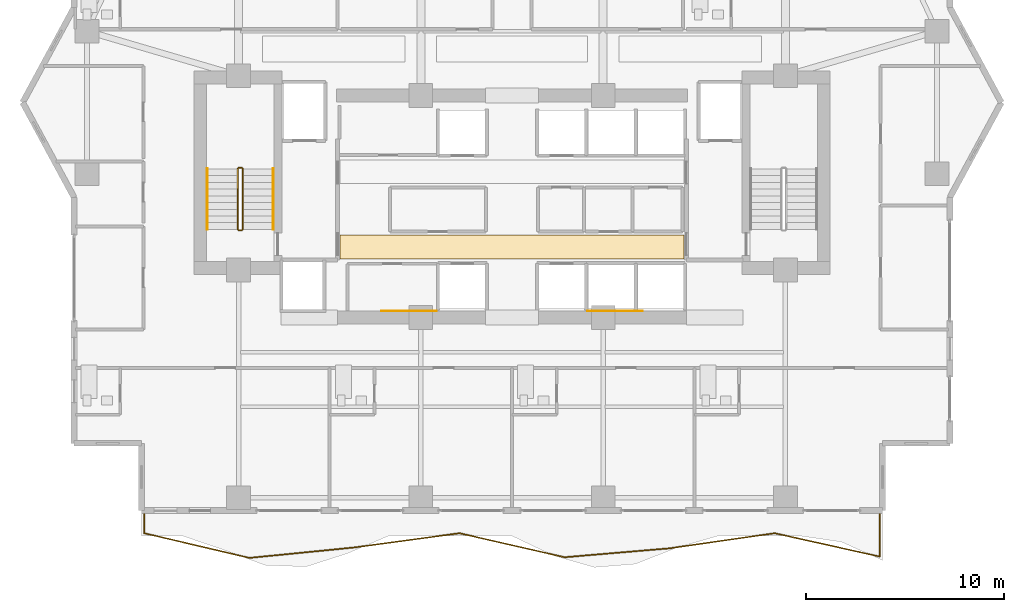
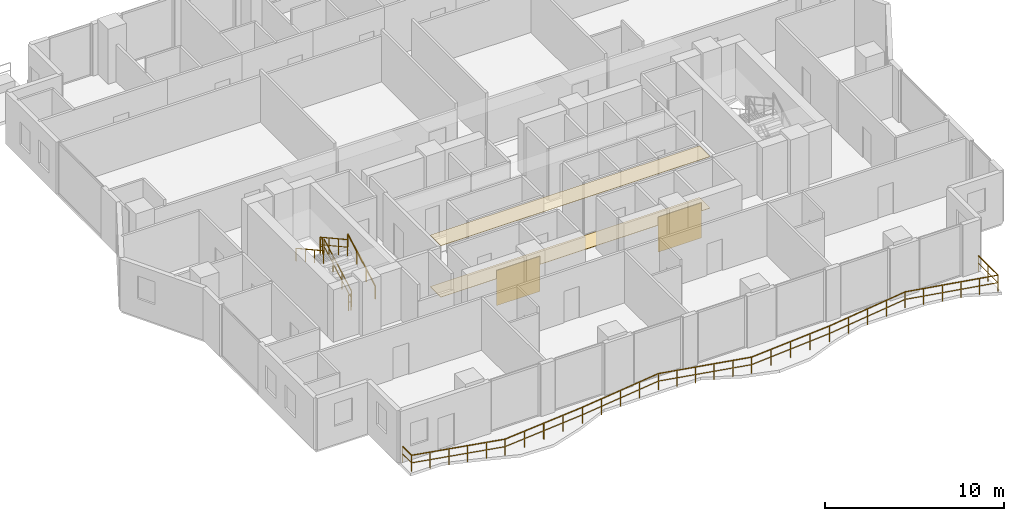
# One storey, part 30 of 33: 7 railings, 4 coverings.
"""IFC4 building model written with IfcOpenShell, lengths in metres."""

from ifc_helpers import new_model, si_unit, direction, frame, origin, origin_2d, place, context, subcontext, project, spatial, polyline, rectangle, outline, extrude, material, layer, layer_set, type_object, element, save


model = new_model("IFC4")

# Units and contexts
model_context = context("Model", 3, precision=1e-05, world=origin(), true_north=direction((0.0, 1.0)))
body_context = subcontext(model_context, "Body", "Model", "MODEL_VIEW")
ifc_project = project(units=[si_unit("LENGTHUNIT", "METRE"), si_unit("AREAUNIT", "SQUARE_METRE"), si_unit("VOLUMEUNIT", "CUBIC_METRE"), si_unit("PLANEANGLEUNIT", "RADIAN"), si_unit("MASSUNIT", "GRAM", prefix="KILO")], contexts=[model_context])

# Site, building, storey
site_placement = place(None, origin())
site = spatial("IfcSite", under=ifc_project, at=site_placement, CompositionType="ELEMENT")
building_placement = place(site_placement, origin())
building = spatial("IfcBuilding", under=site, at=building_placement, Name="Zuhayl Quay Hotel", CompositionType="ELEMENT")
storey_placement = place(building_placement, frame((0.0, 0.0, 222.39990234375)))
storey = spatial("IfcBuildingStorey", under=building, at=storey_placement, Name="L56", CompositionType="ELEMENT", Elevation=222.39990234375)

# Coverings
ifc_material_1 = material(Name="Acoustic Mineral-Fibre Gypsum Board")
ifc_layer_1 = layer(ifc_material_1, 0.02490234375, Name="Acoustic Mineral-Fibre Gypsum Board")
ifc_layer_set_1 = layer_set([ifc_layer_1], Name="Acoustic Mineral-Fibre Gypsum Board")
covering_type_1 = type_object("IfcCoveringType", Name="CV_CEIL_ACOUSTIC", PredefinedType="CEILING", material=ifc_layer_set_1)
covering_1_placement = place(storey_placement, frame((0.0, 0.0, 3.505126953125)))
element("IfcCovering", 1, at=covering_1_placement, inside=storey, type_object=covering_type_1, Name="L56 Suspended Acoustic Lobby Ceiling S", PredefinedType="CEILING", context=body_context, shape_type="SweptSolid", body=[
    extrude(outline(polyline([(-8.679931640625, 5.10009765625), (8.679931640625, 5.10009765625), (8.679931640625, 6.300048828125), (-8.679931640625, 6.300048828125), (-8.679931640625, 5.10009765625)])), origin(), (0.0, 0.0, 1.0), 0.02490234375),
])
ifc_material_2 = material(Name="Polished Limestone Terrazzo", Category="masonry")
ifc_layer_2 = layer(ifc_material_2, 0.02001953125, Name="Polished Limestone Terrazzo", Category="masonry")
ifc_layer_set_2 = layer_set([ifc_layer_2], Name="Polished Limestone Terrazzo")
covering_type_2 = type_object("IfcCoveringType", Name="CV_FLOOR_TERRAZZO", PredefinedType="FLOORING", material=ifc_layer_set_2)
covering_2_placement = place(storey_placement, origin())
element("IfcCovering", 2, at=covering_2_placement, inside=storey, type_object=covering_type_2, Name="L56 Honed Limestone Terrazzo Lobby Flooring S", PredefinedType="FLOORING", context=body_context, shape_type="SweptSolid", body=[
    extrude(outline(polyline([(-8.679931640625, 5.10009765625), (8.679931640625, 5.10009765625), (8.679931640625, 6.300048828125), (-8.679931640625, 6.300048828125), (-8.679931640625, 5.10009765625)])), origin(), (0.0, 0.0, 1.0), 0.02001953125),
])
ifc_material_3 = material(Name="Acoustic Walnut Feature Timber", Category="wood")
ifc_layer_3 = layer(ifc_material_3, 0.02197265625, Name="Acoustic Walnut Feature Timber", Category="wood")
ifc_layer_set_3 = layer_set([ifc_layer_3], Name="Acoustic Walnut Feature Timber")
covering_type_3 = type_object("IfcCoveringType", Name="CV_WALL_CLAD", PredefinedType="CLADDING", material=ifc_layer_set_3)
for number, where, z_axis, x_axis, name in (
    (3, (-5.199951171875, 2.486083984375, 0.300048828125), (0.0, 0.0, 1.0), (1.0, 0.0, 0.0), "L56 Feature Lobby Walnut Wall Cladding W"),
    (4, (5.199951171875, 2.486083984375, 0.300048828125), (0.0, 0.0, 1.0), (1.0, 0.0, 0.0), "L56 Feature Lobby Walnut Wall Cladding E"),
):
    element("IfcCovering", number, at=place(storey_placement, frame(where, z_axis=z_axis, x_axis=x_axis)), inside=storey, type_object=covering_type_3, Name=name, PredefinedType="CLADDING", context=body_context, shape_type="SweptSolid", body=[
        extrude(rectangle(XDim=2.800048828125, YDim=0.02197265625, at=origin_2d()), origin(), (0.0, 0.0, 1.0), 2.39990234375),
    ])

# Railings
ifc_material_4 = material(Name="Anodised Aluminium and Laminated Glass", Category="aluminium")
railing_type_1 = type_object("IfcRailingType", Name="RL_EXT_BAL_1100", PredefinedType="BALUSTRADE", material=ifc_material_4)
railing_1_placement = place(storey_placement, frame((-18.56005859375, -7.719970703125, 0.0)))
element("IfcRailing", 5, at=railing_1_placement, inside=storey, type_object=railing_type_1, Name="L56 Balcony and Terrace Guard GR_L56_BAL_S", PredefinedType="BALUSTRADE", context=body_context, shape_type="SweptSolid", body=[
    extrude(rectangle(XDim=0.048095703125, YDim=0.048095703125, at=origin_2d()), frame((0.0, 0.0, 1.09619140625), z_axis=(0.0, -1.0, 0.0), x_axis=(1.0, 0.0, 0.0)), (0.0, 0.0, 1.0), 1.02001953125),
    extrude(rectangle(XDim=0.0361328125, YDim=0.0361328125, at=origin_2d()), frame((0.0, 0.0, 0.58251953125), z_axis=(0.0, -1.0, 0.0), x_axis=(1.0, 0.0, 0.0)), (0.0, 0.0, 1.0), 1.02001953125),
    extrude(rectangle(XDim=0.048095703125, YDim=0.048095703125, at=origin_2d()), frame((0.0, -1.02001953125, 1.09619140625), z_axis=(0.97350526399, -0.228664603696, 0.0), x_axis=(0.228664603696, 0.97350526399, 0.0)), (0.0, 0.0, 1.0), 5.447265625),
    extrude(rectangle(XDim=0.0361328125, YDim=0.0361328125, at=origin_2d()), frame((0.0, -1.02001953125, 0.58251953125), z_axis=(0.97350526399, -0.228664603696, 0.0), x_axis=(0.228664603696, 0.97350526399, 0.0)), (0.0, 0.0, 1.0), 5.447265625),
    extrude(rectangle(XDim=0.048095703125, YDim=0.048095703125, at=origin_2d()), frame((5.302978515625, -2.265625, 1.09619140625), z_axis=(0.995109504292, 0.098777904754, 0.0), x_axis=(-0.098777904754, 0.995109504292, 0.0)), (0.0, 0.0, 1.0), 5.328857421875),
    extrude(rectangle(XDim=0.0361328125, YDim=0.0361328125, at=origin_2d()), frame((5.302978515625, -2.265625, 0.58251953125), z_axis=(0.995109504292, 0.098777904754, 0.0), x_axis=(-0.098777904754, 0.995109504292, 0.0)), (0.0, 0.0, 1.0), 5.328857421875),
    extrude(rectangle(XDim=0.048095703125, YDim=0.048095703125, at=origin_2d()), frame((10.605712890625, -1.7392578125, 1.09619140625), z_axis=(0.990927351762, 0.134398599433, 0.0), x_axis=(-0.134398599433, 0.990927351762, 0.0)), (0.0, 0.0, 1.0), 5.3515625),
    extrude(rectangle(XDim=0.0361328125, YDim=0.0361328125, at=origin_2d()), frame((10.605712890625, -1.7392578125, 0.58251953125), z_axis=(0.990927351762, 0.134398599433, 0.0), x_axis=(-0.134398599433, 0.990927351762, 0.0)), (0.0, 0.0, 1.0), 5.3515625),
    extrude(rectangle(XDim=0.048095703125, YDim=0.048095703125, at=origin_2d()), frame((15.90869140625, -1.02001953125, 1.09619140625), z_axis=(0.974825069544, -0.222971038006, 0.0), x_axis=(0.222971038006, 0.974825069544, 0.0)), (0.0, 0.0, 1.0), 5.439697265625),
    extrude(rectangle(XDim=0.0361328125, YDim=0.0361328125, at=origin_2d()), frame((15.90869140625, -1.02001953125, 0.58251953125), z_axis=(0.974825069544, -0.222971038006, 0.0), x_axis=(0.222971038006, 0.974825069544, 0.0)), (0.0, 0.0, 1.0), 5.439697265625),
    extrude(rectangle(XDim=0.048095703125, YDim=0.048095703125, at=origin_2d()), frame((21.21142578125, -2.23291015625, 1.09619140625), z_axis=(0.996404189659, 0.084727155209, 0.0), x_axis=(-0.084727155209, 0.996404189659, 0.0)), (0.0, 0.0, 1.0), 5.322021484375),
    extrude(rectangle(XDim=0.0361328125, YDim=0.0361328125, at=origin_2d()), frame((21.21142578125, -2.23291015625, 0.58251953125), z_axis=(0.996404189659, 0.084727155209, 0.0), x_axis=(-0.084727155209, 0.996404189659, 0.0)), (0.0, 0.0, 1.0), 5.322021484375),
    extrude(rectangle(XDim=0.048095703125, YDim=0.048095703125, at=origin_2d()), frame((26.514404296875, -1.781982421875, 1.09619140625), z_axis=(0.989833408054, 0.142231586857, 0.0), x_axis=(-0.142231586857, 0.989833408054, 0.0)), (0.0, 0.0, 1.0), 5.357177734375),
    extrude(rectangle(XDim=0.0361328125, YDim=0.0361328125, at=origin_2d()), frame((26.514404296875, -1.781982421875, 0.58251953125), z_axis=(0.989833408054, 0.142231586857, 0.0), x_axis=(-0.142231586857, 0.989833408054, 0.0)), (0.0, 0.0, 1.0), 5.357177734375),
    extrude(rectangle(XDim=0.048095703125, YDim=0.048095703125, at=origin_2d()), frame((31.817138671875, -1.02001953125, 1.09619140625), z_axis=(0.976157443086, -0.217063691824, 0.0), x_axis=(0.217063691824, 0.976157443086, 0.0)), (0.0, 0.0, 1.0), 5.4326171875),
    extrude(rectangle(XDim=0.0361328125, YDim=0.0361328125, at=origin_2d()), frame((31.817138671875, -1.02001953125, 0.58251953125), z_axis=(0.976157443086, -0.217063691824, 0.0), x_axis=(0.217063691824, 0.976157443086, 0.0)), (0.0, 0.0, 1.0), 5.4326171875),
    extrude(rectangle(XDim=0.048095703125, YDim=0.048095703125, at=origin_2d()), frame((37.1201171875, -2.19921875, 1.09619140625), z_axis=(0.0, 1.0, 0.0), x_axis=(-1.0, 0.0, 0.0)), (0.0, 0.0, 1.0), 2.19921875),
    extrude(rectangle(XDim=0.0361328125, YDim=0.0361328125, at=origin_2d()), frame((37.1201171875, -2.19921875, 0.58251953125), z_axis=(0.0, 1.0, 0.0), x_axis=(-1.0, 0.0, 0.0)), (0.0, 0.0, 1.0), 2.19921875),
    extrude(rectangle(XDim=0.0419921875, YDim=0.0419921875, at=origin_2d()), origin(), (0.0, 0.0, 1.0), 1.072021484375),
    extrude(rectangle(XDim=0.0419921875, YDim=0.0419921875, at=origin_2d()), frame((0.0, -1.02001953125, 0.0)), (0.0, 0.0, 1.0), 1.072021484375),
    extrude(rectangle(XDim=0.0419921875, YDim=0.0419921875, at=origin_2d()), frame((1.060546875, -1.26904296875, 0.0)), (0.0, 0.0, 1.0), 1.072021484375),
    extrude(rectangle(XDim=0.0419921875, YDim=0.0419921875, at=origin_2d()), frame((2.12109375, -1.518310546875, 0.0)), (0.0, 0.0, 1.0), 1.072021484375),
    extrude(rectangle(XDim=0.0419921875, YDim=0.0419921875, at=origin_2d()), frame((3.181884765625, -1.767333984375, 0.0)), (0.0, 0.0, 1.0), 1.072021484375),
    extrude(rectangle(XDim=0.0419921875, YDim=0.0419921875, at=origin_2d()), frame((4.242431640625, -2.0166015625, 0.0)), (0.0, 0.0, 1.0), 1.072021484375),
    extrude(rectangle(XDim=0.0419921875, YDim=0.0419921875, at=origin_2d()), frame((5.302978515625, -2.265625, 0.0)), (0.0, 0.0, 1.0), 1.072021484375),
    extrude(rectangle(XDim=0.0419921875, YDim=0.0419921875, at=origin_2d()), frame((6.628662109375, -2.134033203125, 0.0)), (0.0, 0.0, 1.0), 1.072021484375),
    extrude(rectangle(XDim=0.0419921875, YDim=0.0419921875, at=origin_2d()), frame((7.954345703125, -2.00244140625, 0.0)), (0.0, 0.0, 1.0), 1.072021484375),
    extrude(rectangle(XDim=0.0419921875, YDim=0.0419921875, at=origin_2d()), frame((9.280029296875, -1.870849609375, 0.0)), (0.0, 0.0, 1.0), 1.072021484375),
    extrude(rectangle(XDim=0.0419921875, YDim=0.0419921875, at=origin_2d()), frame((10.605712890625, -1.7392578125, 0.0)), (0.0, 0.0, 1.0), 1.072021484375),
    extrude(rectangle(XDim=0.0419921875, YDim=0.0419921875, at=origin_2d()), frame((11.931396484375, -1.5595703125, 0.0)), (0.0, 0.0, 1.0), 1.072021484375),
    extrude(rectangle(XDim=0.0419921875, YDim=0.0419921875, at=origin_2d()), frame((13.25732421875, -1.379638671875, 0.0)), (0.0, 0.0, 1.0), 1.072021484375),
    extrude(rectangle(XDim=0.0419921875, YDim=0.0419921875, at=origin_2d()), frame((14.5830078125, -1.19970703125, 0.0)), (0.0, 0.0, 1.0), 1.072021484375),
    extrude(rectangle(XDim=0.0419921875, YDim=0.0419921875, at=origin_2d()), frame((15.90869140625, -1.02001953125, 0.0)), (0.0, 0.0, 1.0), 1.072021484375),
    extrude(rectangle(XDim=0.0419921875, YDim=0.0419921875, at=origin_2d()), frame((16.96923828125, -1.2626953125, 0.0)), (0.0, 0.0, 1.0), 1.072021484375),
    extrude(rectangle(XDim=0.0419921875, YDim=0.0419921875, at=origin_2d()), frame((18.02978515625, -1.505126953125, 0.0)), (0.0, 0.0, 1.0), 1.072021484375),
    extrude(rectangle(XDim=0.0419921875, YDim=0.0419921875, at=origin_2d()), frame((19.09033203125, -1.747802734375, 0.0)), (0.0, 0.0, 1.0), 1.072021484375),
    extrude(rectangle(XDim=0.0419921875, YDim=0.0419921875, at=origin_2d()), frame((20.15087890625, -1.990234375, 0.0)), (0.0, 0.0, 1.0), 1.072021484375),
    extrude(rectangle(XDim=0.0419921875, YDim=0.0419921875, at=origin_2d()), frame((21.21142578125, -2.23291015625, 0.0)), (0.0, 0.0, 1.0), 1.072021484375),
    extrude(rectangle(XDim=0.0419921875, YDim=0.0419921875, at=origin_2d()), frame((22.537109375, -2.1201171875, 0.0)), (0.0, 0.0, 1.0), 1.072021484375),
    extrude(rectangle(XDim=0.0419921875, YDim=0.0419921875, at=origin_2d()), frame((23.86279296875, -2.00732421875, 0.0)), (0.0, 0.0, 1.0), 1.072021484375),
    extrude(rectangle(XDim=0.0419921875, YDim=0.0419921875, at=origin_2d()), frame((25.188720703125, -1.894775390625, 0.0)), (0.0, 0.0, 1.0), 1.072021484375),
    extrude(rectangle(XDim=0.0419921875, YDim=0.0419921875, at=origin_2d()), frame((26.514404296875, -1.781982421875, 0.0)), (0.0, 0.0, 1.0), 1.072021484375),
    extrude(rectangle(XDim=0.0419921875, YDim=0.0419921875, at=origin_2d()), frame((27.840087890625, -1.591552734375, 0.0)), (0.0, 0.0, 1.0), 1.072021484375),
    extrude(rectangle(XDim=0.0419921875, YDim=0.0419921875, at=origin_2d()), frame((29.165771484375, -1.40087890625, 0.0)), (0.0, 0.0, 1.0), 1.072021484375),
    extrude(rectangle(XDim=0.0419921875, YDim=0.0419921875, at=origin_2d()), frame((30.491455078125, -1.21044921875, 0.0)), (0.0, 0.0, 1.0), 1.072021484375),
    extrude(rectangle(XDim=0.0419921875, YDim=0.0419921875, at=origin_2d()), frame((31.817138671875, -1.02001953125, 0.0)), (0.0, 0.0, 1.0), 1.072021484375),
    extrude(rectangle(XDim=0.0419921875, YDim=0.0419921875, at=origin_2d()), frame((32.877685546875, -1.255859375, 0.0)), (0.0, 0.0, 1.0), 1.072021484375),
    extrude(rectangle(XDim=0.0419921875, YDim=0.0419921875, at=origin_2d()), frame((33.938232421875, -1.49169921875, 0.0)), (0.0, 0.0, 1.0), 1.072021484375),
    extrude(rectangle(XDim=0.0419921875, YDim=0.0419921875, at=origin_2d()), frame((34.9990234375, -1.7275390625, 0.0)), (0.0, 0.0, 1.0), 1.072021484375),
    extrude(rectangle(XDim=0.0419921875, YDim=0.0419921875, at=origin_2d()), frame((36.0595703125, -1.96337890625, 0.0)), (0.0, 0.0, 1.0), 1.072021484375),
    extrude(rectangle(XDim=0.0419921875, YDim=0.0419921875, at=origin_2d()), frame((37.1201171875, -2.19921875, 0.0)), (0.0, 0.0, 1.0), 1.072021484375),
    extrude(rectangle(XDim=0.0419921875, YDim=0.0419921875, at=origin_2d()), frame((37.1201171875, -1.099609375, 0.0)), (0.0, 0.0, 1.0), 1.072021484375),
    extrude(rectangle(XDim=0.0419921875, YDim=0.0419921875, at=origin_2d()), frame((37.1201171875, 0.0, 0.0)), (0.0, 0.0, 1.0), 1.072021484375),
])
ifc_material_5 = material(Name="Steel ASTM A992 Grade 50", Category="steel")
railing_type_2 = type_object("IfcRailingType", Name="RL_GUARD_1100", PredefinedType="GUARDRAIL", material=ifc_material_5)
railing_2_placement = place(storey_placement, frame((-13.590087890625, 6.590087890625, 0.1875)))
element("IfcRailing", 6, at=railing_2_placement, inside=storey, type_object=railing_type_2, Name="L56 ST1 stair guard 1", PredefinedType="GUARDRAIL", context=body_context, shape_type="SweptSolid", body=[
    extrude(rectangle(XDim=0.048095703125, YDim=0.048095703125, at=origin_2d()), frame((0.0, 0.0, 1.09619140625), z_axis=(0.0, 0.875659195171, 0.482929574485), x_axis=(-1.0, 0.0, 0.0)), (0.0, 0.0, 1.0), 3.494384765625),
    extrude(rectangle(XDim=0.0361328125, YDim=0.0361328125, at=origin_2d()), frame((0.0, 0.0, 0.58251953125), z_axis=(0.0, 0.875659195171, 0.482929574485), x_axis=(-1.0, 0.0, 0.0)), (0.0, 0.0, 1.0), 3.494384765625),
    extrude(rectangle(XDim=0.0419921875, YDim=0.0419921875, at=origin_2d()), origin(), (0.0, 0.0, 1.0), 1.072021484375),
    extrude(rectangle(XDim=0.0419921875, YDim=0.0419921875, at=origin_2d()), frame((0.0, 1.02001953125, 0.5625)), (0.0, 0.0, 1.0), 1.072021484375),
    extrude(rectangle(XDim=0.0419921875, YDim=0.0419921875, at=origin_2d()), frame((0.0, 2.039794921875, 1.125)), (0.0, 0.0, 1.0), 1.072021484375),
    extrude(rectangle(XDim=0.0419921875, YDim=0.0419921875, at=origin_2d()), frame((0.0, 3.059814453125, 1.6875)), (0.0, 0.0, 1.0), 1.072021484375),
])
railing_3_placement = place(storey_placement, frame((-13.639892578125, 9.699951171875, 1.875)))
element("IfcRailing", 7, at=railing_3_placement, inside=storey, type_object=railing_type_2, Name="L56 ST1 stair guard 2", PredefinedType="GUARDRAIL", context=body_context, shape_type="SweptSolid", body=[
    extrude(rectangle(XDim=0.048095703125, YDim=0.048095703125, at=origin_2d()), frame((0.0, 0.0, 1.09619140625), z_axis=(-1.0, 0.0, 0.0), x_axis=(0.0, -1.0, 0.0)), (0.0, 0.0, 1.0), 0.150146484375),
    extrude(rectangle(XDim=0.0361328125, YDim=0.0361328125, at=origin_2d()), frame((0.0, 0.0, 0.58251953125), z_axis=(-1.0, 0.0, 0.0), x_axis=(0.0, -1.0, 0.0)), (0.0, 0.0, 1.0), 0.150146484375),
    extrude(rectangle(XDim=0.0419921875, YDim=0.0419921875, at=origin_2d()), origin(), (0.0, 0.0, 1.0), 1.072021484375),
    extrude(rectangle(XDim=0.0419921875, YDim=0.0419921875, at=origin_2d()), frame((-0.150146484375, 0.0, 0.0)), (0.0, 0.0, 1.0), 1.072021484375),
])
railing_4_placement = place(storey_placement, frame((-13.840087890625, 9.64990234375, 2.0625)))
element("IfcRailing", 8, at=railing_4_placement, inside=storey, type_object=railing_type_2, Name="L56 ST1 stair guard 3", PredefinedType="GUARDRAIL", context=body_context, shape_type="SweptSolid", body=[
    extrude(rectangle(XDim=0.048095703125, YDim=0.048095703125, at=origin_2d()), frame((0.0, 0.0, 1.09619140625), z_axis=(0.0, -0.875659195171, 0.482929574485), x_axis=(1.0, 0.0, 0.0)), (0.0, 0.0, 1.0), 3.494384765625),
    extrude(rectangle(XDim=0.0361328125, YDim=0.0361328125, at=origin_2d()), frame((0.0, 0.0, 0.58251953125), z_axis=(0.0, -0.875659195171, 0.482929574485), x_axis=(1.0, 0.0, 0.0)), (0.0, 0.0, 1.0), 3.494384765625),
    extrude(rectangle(XDim=0.0419921875, YDim=0.0419921875, at=origin_2d()), origin(), (0.0, 0.0, 1.0), 1.072021484375),
    extrude(rectangle(XDim=0.0419921875, YDim=0.0419921875, at=origin_2d()), frame((0.0, -1.02001953125, 0.5625)), (0.0, 0.0, 1.0), 1.072021484375),
    extrude(rectangle(XDim=0.0419921875, YDim=0.0419921875, at=origin_2d()), frame((0.0, -2.039794921875, 1.125)), (0.0, 0.0, 1.0), 1.072021484375),
    extrude(rectangle(XDim=0.0419921875, YDim=0.0419921875, at=origin_2d()), frame((0.0, -3.059814453125, 1.6875)), (0.0, 0.0, 1.0), 1.072021484375),
])
railing_5_placement = place(storey_placement, frame((-13.639892578125, 6.5400390625, 0.0)))
element("IfcRailing", 9, at=railing_5_placement, inside=storey, type_object=railing_type_2, Name="L56 ST1 stair guard 4", PredefinedType="GUARDRAIL", context=body_context, shape_type="SweptSolid", body=[
    extrude(rectangle(XDim=0.048095703125, YDim=0.048095703125, at=origin_2d()), frame((0.0, 0.0, 1.09619140625), z_axis=(-1.0, 0.0, 0.0), x_axis=(0.0, -1.0, 0.0)), (0.0, 0.0, 1.0), 0.150146484375),
    extrude(rectangle(XDim=0.0361328125, YDim=0.0361328125, at=origin_2d()), frame((0.0, 0.0, 0.58251953125), z_axis=(-1.0, 0.0, 0.0), x_axis=(0.0, -1.0, 0.0)), (0.0, 0.0, 1.0), 0.150146484375),
    extrude(rectangle(XDim=0.0419921875, YDim=0.0419921875, at=origin_2d()), origin(), (0.0, 0.0, 1.0), 1.072021484375),
    extrude(rectangle(XDim=0.0419921875, YDim=0.0419921875, at=origin_2d()), frame((-0.150146484375, 0.0, 0.0)), (0.0, 0.0, 1.0), 1.072021484375),
])
railing_type_3 = type_object("IfcRailingType", Name="RL_HANDRAIL_920", PredefinedType="HANDRAIL", material=ifc_material_5)
railing_6_placement = place(storey_placement, frame((-12.050048828125, 6.590087890625, 0.1875)))
element("IfcRailing", 10, at=railing_6_placement, inside=storey, type_object=railing_type_3, Name="L56 ST1 stair handrail 1", PredefinedType="HANDRAIL", context=body_context, shape_type="SweptSolid", body=[
    extrude(rectangle(XDim=0.048095703125, YDim=0.048095703125, at=origin_2d()), frame((0.0, 0.0, 0.8759765625), z_axis=(0.0, 0.875659195171, 0.482929574485), x_axis=(-1.0, 0.0, 0.0)), (0.0, 0.0, 1.0), 3.494384765625),
    extrude(rectangle(XDim=0.0419921875, YDim=0.0419921875, at=origin_2d()), origin(), (0.0, 0.0, 1.0), 0.851806640625),
    extrude(rectangle(XDim=0.0419921875, YDim=0.0419921875, at=origin_2d()), frame((0.0, 1.02001953125, 0.5625)), (0.0, 0.0, 1.0), 0.851806640625),
    extrude(rectangle(XDim=0.0419921875, YDim=0.0419921875, at=origin_2d()), frame((0.0, 2.039794921875, 1.125)), (0.0, 0.0, 1.0), 0.851806640625),
    extrude(rectangle(XDim=0.0419921875, YDim=0.0419921875, at=origin_2d()), frame((0.0, 3.059814453125, 1.6875)), (0.0, 0.0, 1.0), 0.851806640625),
])
railing_7_placement = place(storey_placement, frame((-15.3798828125, 9.64990234375, 2.0625)))
element("IfcRailing", 11, at=railing_7_placement, inside=storey, type_object=railing_type_3, Name="L56 ST1 stair handrail 2", PredefinedType="HANDRAIL", context=body_context, shape_type="SweptSolid", body=[
    extrude(rectangle(XDim=0.048095703125, YDim=0.048095703125, at=origin_2d()), frame((0.0, 0.0, 0.8759765625), z_axis=(0.0, -0.875659195171, 0.482929574485), x_axis=(1.0, 0.0, 0.0)), (0.0, 0.0, 1.0), 3.494384765625),
    extrude(rectangle(XDim=0.0419921875, YDim=0.0419921875, at=origin_2d()), origin(), (0.0, 0.0, 1.0), 0.851806640625),
    extrude(rectangle(XDim=0.0419921875, YDim=0.0419921875, at=origin_2d()), frame((0.0, -1.02001953125, 0.5625)), (0.0, 0.0, 1.0), 0.851806640625),
    extrude(rectangle(XDim=0.0419921875, YDim=0.0419921875, at=origin_2d()), frame((0.0, -2.039794921875, 1.125)), (0.0, 0.0, 1.0), 0.851806640625),
    extrude(rectangle(XDim=0.0419921875, YDim=0.0419921875, at=origin_2d()), frame((0.0, -3.059814453125, 1.6875)), (0.0, 0.0, 1.0), 0.851806640625),
])

save(model, "model.ifc")
